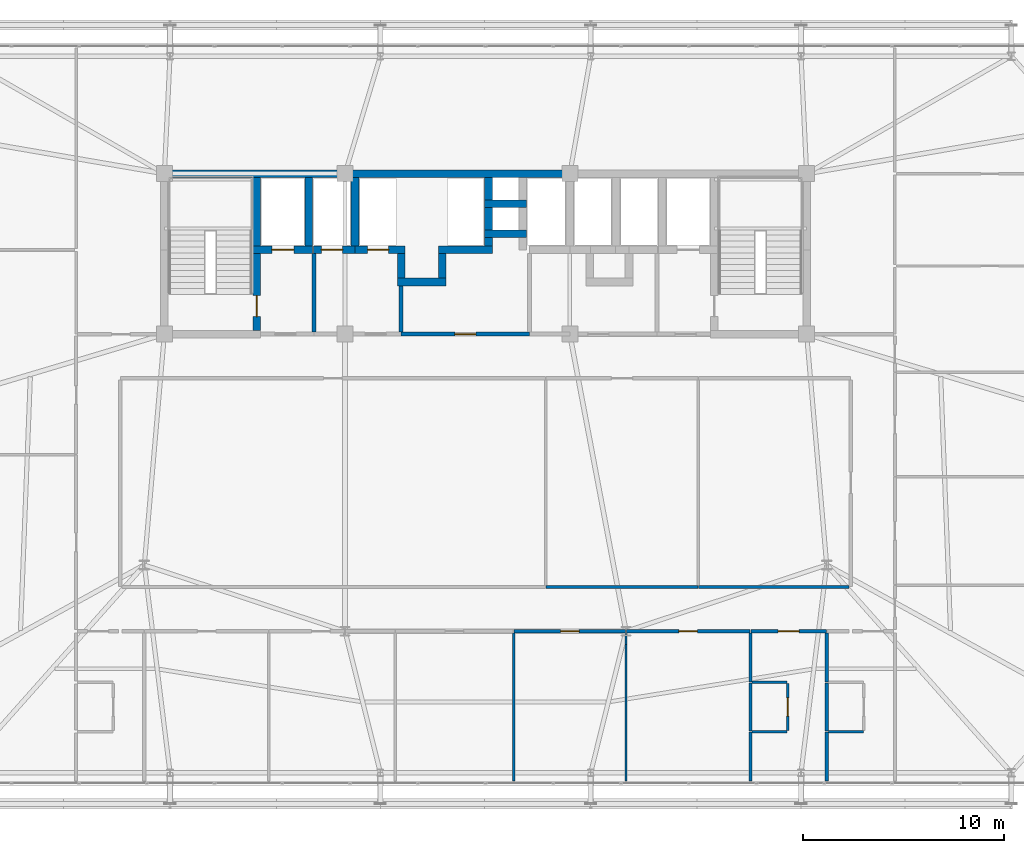
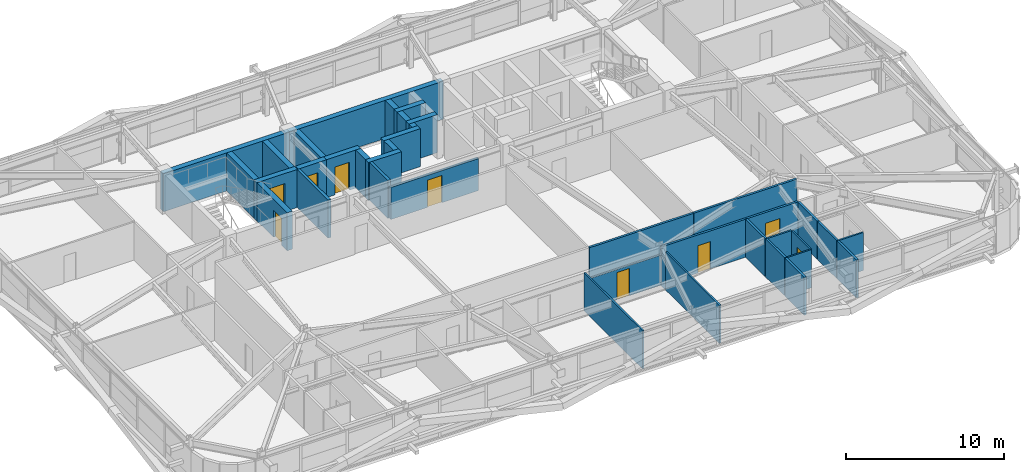
# One storey, part 53 of 58: 39 walls, 9 doors, 9 openings.
"""IFC4 building model written with IfcOpenShell, lengths in metres."""

from ifc_helpers import new_model, si_unit, direction, frame, frame_2d, origin, place, context, subcontext, project, spatial, rectangle, extrude, source, transform, mapped, material, layer, layer_set, type_object, element, fill, save


model = new_model("IFC4")

# Units and contexts
model_context = context("Model", 3, precision=1e-05, world=origin(), true_north=direction((0.0, 1.0)))
body_context = subcontext(model_context, "Body", "Model", "MODEL_VIEW")
ifc_project = project(units=[si_unit("LENGTHUNIT", "METRE"), si_unit("AREAUNIT", "SQUARE_METRE"), si_unit("VOLUMEUNIT", "CUBIC_METRE"), si_unit("PLANEANGLEUNIT", "RADIAN"), si_unit("MASSUNIT", "GRAM", prefix="KILO")], contexts=[model_context])

# Site, building, storey
site_placement = place(None, origin())
site = spatial("IfcSite", under=ifc_project, at=site_placement, CompositionType="ELEMENT")
building_placement = place(site_placement, origin())
building = spatial("IfcBuilding", under=site, at=building_placement, Name="Taldren Reach Tower", CompositionType="ELEMENT")
storey_placement = place(building_placement, frame((0.0, 0.0, 54.60009765625)))
storey = spatial("IfcBuildingStorey", under=building, at=storey_placement, Name="L16", CompositionType="ELEMENT", Elevation=54.60009765625)

# Walls
ifc_material_1 = material(Name="Concrete S80 (80 MPa)", Category="concrete")
ifc_layer_1 = layer(ifc_material_1, 0.3798828125)
ifc_layer_set_1 = layer_set([ifc_layer_1], Name="Concrete S80 (80 MPa)")
wall_type_1 = type_object("IfcWallType", Name="IW-CORE-380", PredefinedType="SHEAR", material=ifc_layer_set_1)
shared_shape_1 = source(origin(), body_context, "Body", "SweptSolid", [
    extrude(rectangle(XDim=9.18994140625, YDim=0.3798828125, at=frame_2d((4.594970703125, 0.0))), origin(), (0.0, 0.0, 1.0), 2.929931640625),
])
wall_1_placement = place(storey_placement, frame((18.81005859375, 32.0, 0.0), z_axis=(0.0, 0.0, 1.0), x_axis=(1.0, 0.0, 0.0)))
element("IfcWall", 1, at=wall_1_placement, inside=storey, type_object=wall_type_1, Name="Rear Core Shear Wall W-CORE-L16-NORTH1", PredefinedType="SHEAR", context=body_context, shape_type="MappedRepresentation", body=[
    mapped(shared_shape_1, transform((0.0, 0.0, 0.0), scale=1.0)),
])
shared_shape_2 = source(origin(), body_context, "Body", "SweptSolid", [
    extrude(rectangle(XDim=11.199951171875, YDim=0.3798828125, at=frame_2d((5.60009765625, 0.0))), origin(), (0.0, 0.0, 1.0), 2.929931640625),
])
wall_2_placement = place(storey_placement, frame((28.0, 32.0, 0.0), z_axis=(0.0, 0.0, 1.0), x_axis=(1.0, 0.0, 0.0)))
element("IfcWall", 2, at=wall_2_placement, inside=storey, type_object=wall_type_1, Name="Rear Core Shear Wall W-CORE-L16-NORTH2", PredefinedType="SHEAR", context=body_context, shape_type="MappedRepresentation", body=[
    mapped(shared_shape_2, transform((0.0, 0.0, 0.0), scale=1.0)),
])
shared_shape_3 = source(origin(), body_context, "Body", "SweptSolid", [
    extrude(rectangle(XDim=3.420166015625, YDim=0.3798828125, at=frame_2d((1.7099609375, 0.0))), origin(), (0.0, 0.0, 1.0), 2.929931640625),
])
for number, where, z_axis, x_axis, name in (
    (3, (23.60009765625, 28.389892578125, 0.0), (0.0, 0.0, 1.0), (0.0, 1.0, 0.0), "Rear Core Shear Wall W-INT-L16-001"),
    (4, (26.199951171875, 28.389892578125, 0.0), (0.0, 0.0, 1.0), (0.0, 1.0, 0.0), "Rear Core Shear Wall W-INT-L16-005"),
    (5, (28.5, 28.389892578125, 0.0), (0.0, 0.0, 1.0), (0.0, 1.0, 0.0), "Rear Core Shear Wall W-INT-L16-029"),
):
    element("IfcWall", number, at=place(storey_placement, frame(where, z_axis=z_axis, x_axis=x_axis)), inside=storey, type_object=wall_type_1, Name=name, PredefinedType="SHEAR", context=body_context, shape_type="MappedRepresentation", body=[
        mapped(shared_shape_3, transform((0.0, 0.0, 0.0), scale=1.0)),
    ])

# Wall, opening, door
shared_shape_4 = source(origin(), body_context, "Body", "SweptSolid", [
    extrude(rectangle(XDim=3.820068359375, YDim=0.3798828125, at=frame_2d((1.91015625, 0.0))), origin(), (0.0, 0.0, 1.0), 2.929931640625),
])
wall_3_placement = place(storey_placement, frame((23.60009765625, 24.18994140625, 0.0), z_axis=(0.0, 0.0, 1.0), x_axis=(0.0, 1.0, 0.0)))
wall_3 = element("IfcWall", 6, at=wall_3_placement, inside=storey, type_object=wall_type_1, Name="Rear Core Shear Wall W-INT-L16-002", PredefinedType="SHEAR", context=body_context, shape_type="MappedRepresentation", body=[
    mapped(shared_shape_4, transform((0.0, 0.0, 0.0), scale=1.0)),
])
shared_shape_5 = source(origin(), body_context, "Body", "SweptSolid", [
    extrude(rectangle(XDim=1.050048828125, YDim=2.10009765625, at=frame_2d((0.52490234375, 1.050048828125))), frame((0.0, 0.199951171875, 0.0), z_axis=(0.0, -1.0, 0.0), x_axis=(1.0, 0.0, 0.0)), (0.0, 0.0, 1.0), 0.39990234375),
])
opening_1_placement = place(wall_3_placement, frame((0.68505859375, 0.0, 0.0)))
opening_1 = element("IfcOpeningElement", 7, at=opening_1_placement, cuts=wall_3, Name="Opening DF-105", PredefinedType="OPENING", context=body_context, shape_type="MappedRepresentation", body=[
    mapped(shared_shape_5, transform((0.0, 0.0, 0.0), scale=1.0)),
])
ifc_material_2 = material(Name="Fire-Rated Care and Stair Exit Door")
door_type_1 = type_object("IfcDoorType", Name="ID-FIRE-105", OperationType="NOTDEFINED", PredefinedType="DOOR", material=ifc_material_2)
shared_shape_6 = source(origin(), body_context, "Body", "SweptSolid", [
    extrude(rectangle(XDim=1.050048828125, YDim=2.10009765625, at=frame_2d((0.52490234375, 1.050048828125))), frame((0.0, 0.02490234375, 0.0), z_axis=(0.0, -1.0, 0.0), x_axis=(1.0, 0.0, 0.0)), (0.0, 0.0, 1.0), 0.050048828125),
])
door_1_placement = place(opening_1_placement, origin())
door_1 = element("IfcDoor", 8, at=door_1_placement, inside=storey, type_object=door_type_1, Name="Fire Exit Stair Door DR-L16-001", OperationType="SINGLE_SWING_LEFT", OverallHeight=2.10009765625, OverallWidth=1.050048828125, PredefinedType="DOOR", context=body_context, shape_type="MappedRepresentation", body=[
    mapped(shared_shape_6, transform((0.0, 0.0, 0.0), scale=1.0)),
])
fill(opening_1, door_1)

shared_shape_7 = source(origin(), body_context, "Body", "SweptSolid", [
    extrude(rectangle(XDim=2.97998046875, YDim=0.3798828125, at=frame_2d((1.489990234375, 0.0))), origin(), (0.0, 0.0, 1.0), 2.929931640625),
])
wall_4_placement = place(storey_placement, frame((23.409912109375, 28.199951171875, 0.0), z_axis=(0.0, 0.0, 1.0), x_axis=(1.0, 0.0, 0.0)))
wall_4 = element("IfcWall", 9, at=wall_4_placement, inside=storey, type_object=wall_type_1, Name="Rear Core Shear Wall W-INT-L16-004", PredefinedType="SHEAR", context=body_context, shape_type="MappedRepresentation", body=[
    mapped(shared_shape_7, transform((0.0, 0.0, 0.0), scale=1.0)),
])
shared_shape_8 = source(origin(), body_context, "Body", "SweptSolid", [
    extrude(rectangle(XDim=1.10009765625, YDim=2.14990234375, at=frame_2d((0.550048828125, 1.074951171875))), frame((0.0, 0.199951171875, 0.0), z_axis=(0.0, -1.0, 0.0), x_axis=(1.0, 0.0, 0.0)), (0.0, 0.0, 1.0), 0.39990234375),
])
opening_2_placement = place(wall_4_placement, frame((0.93994140625, 0.0, 0.0)))
opening_2 = element("IfcOpeningElement", 10, at=opening_2_placement, cuts=wall_4, Name="Opening LD-FL1", PredefinedType="OPENING", context=body_context, shape_type="MappedRepresentation", body=[
    mapped(shared_shape_8, transform((0.0, 0.0, 0.0), scale=1.0)),
])
ifc_material_3 = material(Name="Stainless Steel Gr 316 Emergency Lift Landing Door", Category="steel")
door_type_2 = type_object("IfcDoorType", Name="LD-EMG-110", OperationType="SLIDING_TO_LEFT", PredefinedType="DOOR", material=ifc_material_3)
shared_shape_9 = source(origin(), body_context, "Body", "SweptSolid", [
    extrude(rectangle(XDim=1.10009765625, YDim=2.14990234375, at=frame_2d((0.550048828125, 1.074951171875))), frame((0.0, 0.02490234375, 0.0), z_axis=(0.0, -1.0, 0.0), x_axis=(1.0, 0.0, 0.0)), (0.0, 0.0, 1.0), 0.050048828125),
])
door_2_placement = place(opening_2_placement, origin())
door_2 = element("IfcDoor", 11, at=door_2_placement, inside=storey, type_object=door_type_2, Name="Lift Landing Door LD-FL1-L16", OperationType="SLIDING_TO_LEFT", OverallHeight=2.14990234375, OverallWidth=1.10009765625, PredefinedType="DOOR", context=body_context, shape_type="MappedRepresentation", body=[
    mapped(shared_shape_9, transform((0.0, 0.0, 0.0), scale=1.0)),
])
fill(opening_2, door_2)

# Walls
ifc_material_4 = material(Name="Concrete S50 (50 MPa)", Category="concrete")
ifc_layer_2 = layer(ifc_material_4, 0.199951171875)
ifc_layer_set_2 = layer_set([ifc_layer_2], Name="Concrete S50 (50 MPa)")
wall_type_2 = type_object("IfcWallType", Name="IW-CORE-200", PredefinedType="SOLIDWALL", material=ifc_layer_set_2)
shared_shape_10 = source(origin(), body_context, "Body", "SweptSolid", [
    extrude(rectangle(XDim=3.909912109375, YDim=0.199951171875, at=frame_2d((1.955078125, 0.0))), origin(), (0.0, 0.0, 1.0), 2.929931640625),
])
wall_5_placement = place(storey_placement, frame((26.449951171875, 24.10009765625, 0.0), z_axis=(0.0, 0.0, 1.0), x_axis=(0.0, 1.0, 0.0)))
element("IfcWall", 12, at=wall_5_placement, inside=storey, type_object=wall_type_2, Name="Rear Core Shear Wall W-INT-L16-006", PredefinedType="SOLIDWALL", context=body_context, shape_type="MappedRepresentation", body=[
    mapped(shared_shape_10, transform((0.0, 0.0, 0.0), scale=1.0)),
])
shared_shape_11 = source(origin(), body_context, "Body", "SweptSolid", [
    extrude(rectangle(XDim=2.080078125, YDim=0.3798828125, at=frame_2d((1.0400390625, 0.0))), origin(), (0.0, 0.0, 1.0), 2.929931640625),
])
for number, where, z_axis, x_axis, name in (
    (13, (34.9599609375, 30.5, 0.0), (0.0, 0.0, 1.0), (1.0, 0.0, 0.0), "Rear Core Shear Wall W-INT-L16-015"),
    (14, (34.9599609375, 29.0, 0.0), (0.0, 0.0, 1.0), (1.0, 0.0, 0.0), "Rear Core Shear Wall W-INT-L16-020"),
):
    element("IfcWall", number, at=place(storey_placement, frame(where, z_axis=z_axis, x_axis=x_axis)), inside=storey, type_object=wall_type_1, Name=name, PredefinedType="SHEAR", context=body_context, shape_type="MappedRepresentation", body=[
        mapped(shared_shape_11, transform((0.0, 0.0, 0.0), scale=1.0)),
    ])
shared_shape_12 = source(origin(), body_context, "Body", "SweptSolid", [
    extrude(rectangle(XDim=1.1201171875, YDim=0.3798828125, at=frame_2d((0.56005859375, 0.0))), origin(), (0.0, 0.0, 1.0), 2.929931640625),
])
for number, where, z_axis, x_axis, name in (
    (15, (35.14990234375, 31.81005859375, 0.0), (0.0, 0.0, 1.0), (0.0, -1.0, 0.0), "Rear Core Shear Wall W-INT-L16-016"),
    (16, (35.14990234375, 30.31005859375, 0.0), (0.0, 0.0, 1.0), (0.0, -1.0, 0.0), "Rear Core Shear Wall W-INT-L16-018"),
):
    element("IfcWall", number, at=place(storey_placement, frame(where, z_axis=z_axis, x_axis=x_axis)), inside=storey, type_object=wall_type_1, Name=name, PredefinedType="SHEAR", context=body_context, shape_type="MappedRepresentation", body=[
        mapped(shared_shape_12, transform((0.0, 0.0, 0.0), scale=1.0)),
    ])
shared_shape_13 = source(origin(), body_context, "Body", "SweptSolid", [
    extrude(rectangle(XDim=1.219970703125, YDim=0.3798828125, at=frame_2d((0.60986328125, 0.0))), origin(), (0.0, 0.0, 1.0), 2.929931640625),
])
for number, where, z_axis, x_axis, name in (
    (17, (30.800048828125, 28.010009765625, 0.0), (0.0, 0.0, 1.0), (0.0, -1.0, 0.0), "Rear Core Shear Wall W-INT-L16-021"),
    (18, (32.85009765625, 26.7900390625, 0.0), (0.0, 0.0, 1.0), (0.0, 1.0, 0.0), "Rear Core Shear Wall W-INT-L16-023"),
):
    element("IfcWall", number, at=place(storey_placement, frame(where, z_axis=z_axis, x_axis=x_axis)), inside=storey, type_object=wall_type_1, Name=name, PredefinedType="SHEAR", context=body_context, shape_type="MappedRepresentation", body=[
        mapped(shared_shape_13, transform((0.0, 0.0, 0.0), scale=1.0)),
    ])
shared_shape_14 = source(origin(), body_context, "Body", "SweptSolid", [
    extrude(rectangle(XDim=2.429931640625, YDim=0.3798828125, at=frame_2d((1.21484375, 0.0))), origin(), (0.0, 0.0, 1.0), 2.929931640625),
])
wall_6_placement = place(storey_placement, frame((30.610107421875, 26.60009765625, 0.0), z_axis=(0.0, 0.0, 1.0), x_axis=(1.0, 0.0, 0.0)))
element("IfcWall", 19, at=wall_6_placement, inside=storey, type_object=wall_type_1, Name="Rear Core Shear Wall W-INT-L16-022", PredefinedType="SHEAR", context=body_context, shape_type="MappedRepresentation", body=[
    mapped(shared_shape_14, transform((0.0, 0.0, 0.0), scale=1.0)),
])

# Wall, opening, door
shared_shape_15 = source(origin(), body_context, "Body", "SweptSolid", [
    extrude(rectangle(XDim=2.070068359375, YDim=0.3798828125, at=frame_2d((1.03515625, 0.0))), origin(), (0.0, 0.0, 1.0), 2.929931640625),
])
wall_7_placement = place(storey_placement, frame((26.429931640625, 28.199951171875, 0.0), z_axis=(0.0, 0.0, 1.0), x_axis=(1.0, 0.0, 0.0)))
wall_7 = element("IfcWall", 20, at=wall_7_placement, inside=storey, type_object=wall_type_1, Name="Rear Core Shear Wall W-INT-L16-030", PredefinedType="SHEAR", context=body_context, shape_type="MappedRepresentation", body=[
    mapped(shared_shape_15, transform((0.0, 0.0, 0.0), scale=1.0)),
])
shared_shape_16 = source(origin(), body_context, "Body", "SweptSolid", [
    extrude(rectangle(XDim=1.050048828125, YDim=2.14990234375, at=frame_2d((0.52490234375, 1.074951171875))), frame((0.0, 0.199951171875, 0.0), z_axis=(0.0, -1.0, 0.0), x_axis=(1.0, 0.0, 0.0)), (0.0, 0.0, 1.0), 0.39990234375),
])
opening_3_placement = place(wall_7_placement, frame((0.39501953125, 0.0, 0.0)))
opening_3 = element("IfcOpeningElement", 21, at=opening_3_placement, cuts=wall_7, Name="Opening LD-PL1", PredefinedType="OPENING", context=body_context, shape_type="MappedRepresentation", body=[
    mapped(shared_shape_16, transform((0.0, 0.0, 0.0), scale=1.0)),
])
ifc_material_5 = material(Name="Stainless Steel Gr 316 Passenger Lift Landing Door", Category="steel")
door_type_3 = type_object("IfcDoorType", Name="LD-PAS-105", OperationType="SLIDING_TO_LEFT", PredefinedType="DOOR", material=ifc_material_5)
shared_shape_17 = source(origin(), body_context, "Body", "SweptSolid", [
    extrude(rectangle(XDim=1.050048828125, YDim=2.14990234375, at=frame_2d((0.52490234375, 1.074951171875))), frame((0.0, 0.02490234375, 0.0), z_axis=(0.0, -1.0, 0.0), x_axis=(1.0, 0.0, 0.0)), (0.0, 0.0, 1.0), 0.050048828125),
])
door_3_placement = place(opening_3_placement, origin())
door_3 = element("IfcDoor", 22, at=door_3_placement, inside=storey, type_object=door_type_3, Name="Lift Landing Door LD-PL1-L16", OperationType="SLIDING_TO_LEFT", OverallHeight=2.14990234375, OverallWidth=1.050048828125, PredefinedType="DOOR", context=body_context, shape_type="MappedRepresentation", body=[
    mapped(shared_shape_17, transform((0.0, 0.0, 0.0), scale=1.0)),
])
fill(opening_3, door_3)

shared_shape_18 = source(origin(), body_context, "Body", "SweptSolid", [
    extrude(rectangle(XDim=2.489990234375, YDim=0.3798828125, at=frame_2d((1.2451171875, 0.0))), origin(), (0.0, 0.0, 1.0), 2.929931640625),
])
wall_8_placement = place(storey_placement, frame((28.5, 28.199951171875, 0.0), z_axis=(0.0, 0.0, 1.0), x_axis=(1.0, 0.0, 0.0)))
wall_8 = element("IfcWall", 23, at=wall_8_placement, inside=storey, type_object=wall_type_1, Name="Rear Core Shear Wall W-INT-L16-031", PredefinedType="SHEAR", context=body_context, shape_type="MappedRepresentation", body=[
    mapped(shared_shape_18, transform((0.0, 0.0, 0.0), scale=1.0)),
])
opening_4_placement = place(wall_8_placement, frame((0.625, 0.0, 0.0)))
opening_4 = element("IfcOpeningElement", 24, at=opening_4_placement, cuts=wall_8, Name="Opening LD-PL2", PredefinedType="OPENING", context=body_context, shape_type="MappedRepresentation", body=[
    mapped(shared_shape_16, transform((0.0, 0.0, 0.0), scale=1.0)),
])
door_4_placement = place(opening_4_placement, origin())
door_4 = element("IfcDoor", 25, at=door_4_placement, inside=storey, type_object=door_type_3, Name="Lift Landing Door LD-PL2-L16", OperationType="SLIDING_TO_LEFT", OverallHeight=2.14990234375, OverallWidth=1.050048828125, PredefinedType="DOOR", context=body_context, shape_type="MappedRepresentation", body=[
    mapped(shared_shape_17, transform((0.0, 0.0, 0.0), scale=1.0)),
])
fill(opening_4, door_4)

# Walls
shared_shape_19 = source(origin(), body_context, "Body", "SweptSolid", [
    extrude(rectangle(XDim=2.309814453125, YDim=0.199951171875, at=frame_2d((1.15478515625, 0.0))), origin(), (0.0, 0.0, 1.0), 2.929931640625),
])
wall_9_placement = place(storey_placement, frame((30.800048828125, 26.409912109375, 0.0), z_axis=(0.0, 0.0, 1.0), x_axis=(0.0, -1.0, 0.0)))
element("IfcWall", 26, at=wall_9_placement, inside=storey, type_object=wall_type_2, Name="Rear Core Shear Wall W-INT-L16-032", PredefinedType="SOLIDWALL", context=body_context, shape_type="MappedRepresentation", body=[
    mapped(shared_shape_19, transform((0.0, 0.0, 0.0), scale=1.0)),
])
shared_shape_20 = source(origin(), body_context, "Body", "SweptSolid", [
    extrude(rectangle(XDim=2.68017578125, YDim=0.3798828125, at=frame_2d((1.340087890625, 0.0))), origin(), (0.0, 0.0, 1.0), 2.929931640625),
])
wall_10_placement = place(storey_placement, frame((32.659912109375, 28.199951171875, 0.0), z_axis=(0.0, 0.0, 1.0), x_axis=(1.0, 0.0, 0.0)))
element("IfcWall", 27, at=wall_10_placement, inside=storey, type_object=wall_type_1, Name="Rear Core Shear Wall W-INT-L16-034", PredefinedType="SHEAR", context=body_context, shape_type="MappedRepresentation", body=[
    mapped(shared_shape_20, transform((0.0, 0.0, 0.0), scale=1.0)),
])
shared_shape_21 = source(origin(), body_context, "Body", "SweptSolid", [
    extrude(rectangle(XDim=0.420166015625, YDim=0.3798828125, at=frame_2d((0.2099609375, 0.0))), origin(), (0.0, 0.0, 1.0), 2.929931640625),
])
wall_11_placement = place(storey_placement, frame((35.14990234375, 28.389892578125, 0.0), z_axis=(0.0, 0.0, 1.0), x_axis=(0.0, 1.0, 0.0)))
element("IfcWall", 28, at=wall_11_placement, inside=storey, type_object=wall_type_1, Name="Rear Core Shear Wall W-INT-L16-035", PredefinedType="SHEAR", context=body_context, shape_type="MappedRepresentation", body=[
    mapped(shared_shape_21, transform((0.0, 0.0, 0.0), scale=1.0)),
])

# Wall, opening, door
shared_shape_22 = source(origin(), body_context, "Body", "SweptSolid", [
    extrude(rectangle(XDim=6.39990234375, YDim=0.199951171875, at=frame_2d((3.199951171875, 0.0))), origin(), (0.0, 0.0, 1.0), 2.469970703125),
])
wall_12_placement = place(storey_placement, frame((37.199951171875, 24.0, 0.0), z_axis=(0.0, 0.0, 1.0), x_axis=(-1.0, 0.0, 0.0)))
wall_12 = element("IfcWall", 29, at=wall_12_placement, inside=storey, type_object=wall_type_2, Name="Rear Core Shear Wall W-INT-L16-043", PredefinedType="SOLIDWALL", context=body_context, shape_type="MappedRepresentation", body=[
    mapped(shared_shape_22, transform((0.0, 0.0, 0.0), scale=1.0)),
])
shared_shape_23 = source(origin(), body_context, "Body", "SweptSolid", [
    extrude(rectangle(XDim=1.050048828125, YDim=2.10009765625, at=frame_2d((0.52490234375, 1.050048828125))), frame((0.0, 0.10986328125, 0.0), z_axis=(0.0, -1.0, 0.0), x_axis=(1.0, 0.0, 0.0)), (0.0, 0.0, 1.0), 0.219970703125),
])
opening_5_placement = place(wall_12_placement, frame((2.675048828125, 0.0, 0.0)))
opening_5 = element("IfcOpeningElement", 30, at=opening_5_placement, cuts=wall_12, Name="Opening DF-105", PredefinedType="OPENING", context=body_context, shape_type="MappedRepresentation", body=[
    mapped(shared_shape_23, transform((0.0, 0.0, 0.0), scale=1.0)),
])
door_5_placement = place(opening_5_placement, frame((1.050048828125, 0.0, 0.0), z_axis=(0.0, 0.0, 1.0), x_axis=(-1.0, 0.0, 0.0)))
door_5 = element("IfcDoor", 31, at=door_5_placement, inside=storey, type_object=door_type_1, Name="Interior Door DR-L16-006", OperationType="SINGLE_SWING_RIGHT", OverallHeight=2.10009765625, OverallWidth=1.050048828125, PredefinedType="DOOR", context=body_context, shape_type="MappedRepresentation", body=[
    mapped(shared_shape_6, transform((0.0, 0.0, 0.0), scale=1.0)),
])
fill(opening_5, door_5)

# Wall
ifc_material_6 = material(Name="Insulated Residential Stud Partition", Category="gypsum")
ifc_layer_3 = layer(ifc_material_6, 0.1201171875)
ifc_layer_set_3 = layer_set([ifc_layer_3], Name="Insulated Residential Stud Partition")
wall_type_3 = type_object("IfcWallType", Name="IW-PART-120", PredefinedType="PARTITIONING", material=ifc_layer_set_3)
shared_shape_24 = source(origin(), body_context, "Body", "SweptSolid", [
    extrude(rectangle(XDim=7.39013671875, YDim=0.1201171875, at=frame_2d((3.695068359375, 0.0))), origin(), (0.0, 0.0, 1.0), 2.929931640625),
])
wall_13_placement = place(storey_placement, frame((36.39990234375, 9.1201171875, 0.0), z_axis=(0.0, 0.0, 1.0), x_axis=(0.0, -1.0, 0.0)))
element("IfcWall", 32, at=wall_13_placement, inside=storey, type_object=wall_type_3, Name="Interior Partition Wall W-INT-L16-082", PredefinedType="PARTITIONING", context=body_context, shape_type="MappedRepresentation", body=[
    mapped(shared_shape_24, transform((0.0, 0.0, 0.0), scale=1.0)),
])

# Wall, opening, door
shared_shape_25 = source(origin(), body_context, "Body", "SweptSolid", [
    extrude(rectangle(XDim=2.330078125, YDim=0.1201171875, at=frame_2d((1.1650390625, 0.0))), origin(), (0.0, 0.0, 1.0), 2.929931640625),
])
wall_14_placement = place(storey_placement, frame((50.050048828125, 4.260009765625, 0.0), z_axis=(0.0, 0.0, 1.0), x_axis=(0.0, 1.0, 0.0)))
wall_14 = element("IfcWall", 33, at=wall_14_placement, inside=storey, type_object=wall_type_3, Name="Interior Partition Wall W-INT-L16-087", PredefinedType="PARTITIONING", context=body_context, shape_type="MappedRepresentation", body=[
    mapped(shared_shape_25, transform((0.0, 0.0, 0.0), scale=1.0)),
])
shared_shape_26 = source(origin(), body_context, "Body", "SweptSolid", [
    extrude(rectangle(XDim=0.919921875, YDim=2.10009765625, at=frame_2d((0.4599609375, 1.050048828125))), frame((0.0, 0.070068359375, 0.0), z_axis=(0.0, -1.0, 0.0), x_axis=(1.0, 0.0, 0.0)), (0.0, 0.0, 1.0), 0.14013671875),
])
opening_6_placement = place(wall_14_placement, frame((0.705078125, 0.0, 0.0)))
opening_6 = element("IfcOpeningElement", 34, at=opening_6_placement, cuts=wall_14, Name="Opening DI-092", PredefinedType="OPENING", context=body_context, shape_type="MappedRepresentation", body=[
    mapped(shared_shape_26, transform((0.0, 0.0, 0.0), scale=1.0)),
])
ifc_material_7 = material(Name="Solid-Core Timber Suite Door", Category="wood")
door_type_4 = type_object("IfcDoorType", Name="ID-INT-092", OperationType="NOTDEFINED", PredefinedType="DOOR", material=ifc_material_7)
shared_shape_27 = source(origin(), body_context, "Body", "SweptSolid", [
    extrude(rectangle(XDim=0.919921875, YDim=2.10009765625, at=frame_2d((0.4599609375, 1.050048828125))), frame((0.0, 0.02490234375, 0.0), z_axis=(0.0, -1.0, 0.0), x_axis=(1.0, 0.0, 0.0)), (0.0, 0.0, 1.0), 0.050048828125),
])
door_6_placement = place(opening_6_placement, origin())
door_6 = element("IfcDoor", 35, at=door_6_placement, inside=storey, type_object=door_type_4, Name="Interior Door DR-L16-027", OperationType="SINGLE_SWING_RIGHT", OverallHeight=2.10009765625, OverallWidth=0.919921875, PredefinedType="DOOR", context=body_context, shape_type="MappedRepresentation", body=[
    mapped(shared_shape_27, transform((0.0, 0.0, 0.0), scale=1.0)),
])
fill(opening_6, door_6)

# Walls
shared_shape_28 = source(origin(), body_context, "Body", "SweptSolid", [
    extrude(rectangle(XDim=1.749755859375, YDim=0.1201171875, at=frame_2d((0.875, 0.0))), origin(), (0.0, 0.0, 1.0), 2.929931640625),
])
for number, where, z_axis, x_axis, name in (
    (36, (48.280029296875, 4.199951171875, 0.0), (0.0, 0.0, 1.0), (1.0, 0.0, 0.0), "Interior Partition Wall W-INT-L16-088"),
    (37, (50.02978515625, 6.64990234375, 0.0), (0.0, 0.0, 1.0), (-1.0, 0.0, 0.0), "Interior Partition Wall W-INT-L16-089"),
    (38, (52.080078125, 4.199951171875, 0.0), (0.0, 0.0, 1.0), (1.0, 0.0, 0.0), "Interior Partition Wall W-INT-L16-094"),
):
    element("IfcWall", number, at=place(storey_placement, frame(where, z_axis=z_axis, x_axis=x_axis)), inside=storey, type_object=wall_type_3, Name=name, PredefinedType="PARTITIONING", context=body_context, shape_type="MappedRepresentation", body=[
        mapped(shared_shape_28, transform((0.0, 0.0, 0.0), scale=1.0)),
    ])
ifc_material_8 = material(Name="Fire-Rated Acoustic Plasterboard Stud Wall", Category="gypsum")
ifc_layer_4 = layer(ifc_material_8, 0.159912109375)
ifc_layer_set_4 = layer_set([ifc_layer_4], Name="Fire-Rated Acoustic Plasterboard Stud Wall")
wall_type_4 = type_object("IfcWallType", Name="IW-FIRE-160", PredefinedType="PARTITIONING", material=ifc_layer_set_4)
shared_shape_29 = source(origin(), body_context, "Body", "SweptSolid", [
    extrude(rectangle(XDim=2.44775390625, YDim=0.159912109375, at=frame_2d((1.223876953125, 0.0))), origin(), (0.0, 0.0, 1.0), 2.929931640625),
])
for number, where, z_axis, x_axis, name in (
    (39, (52.0, 4.1796875, 0.0), (0.0, 0.0, 1.0), (0.0, -1.0, 0.0), "Interior Partition Wall W-INT-L16-090"),
    (40, (52.0, 9.117919921875, 0.0), (0.0, 0.0, 1.0), (0.0, -1.0, 0.0), "Interior Partition Wall W-INT-L16-091"),
):
    element("IfcWall", number, at=place(storey_placement, frame(where, z_axis=z_axis, x_axis=x_axis)), inside=storey, type_object=wall_type_4, Name=name, PredefinedType="PARTITIONING", context=body_context, shape_type="MappedRepresentation", body=[
        mapped(shared_shape_29, transform((0.0, 0.0, 0.0), scale=1.0)),
    ])
shared_shape_30 = source(origin(), body_context, "Body", "SweptSolid", [
    extrude(rectangle(XDim=2.40966796875, YDim=0.159912109375, at=frame_2d((1.204833984375, 0.0))), origin(), (0.0, 0.0, 1.0), 2.929931640625),
])
for number, where, z_axis, x_axis, name in (
    (41, (48.199951171875, 6.6298828125, 0.0), (0.0, 0.0, 1.0), (0.0, -1.0, 0.0), "Interior Partition Wall W-INT-L16-086"),
    (42, (52.0, 6.6298828125, 0.0), (0.0, 0.0, 1.0), (0.0, -1.0, 0.0), "Interior Partition Wall W-INT-L16-092"),
):
    element("IfcWall", number, at=place(storey_placement, frame(where, z_axis=z_axis, x_axis=x_axis)), inside=storey, type_object=wall_type_4, Name=name, PredefinedType="PARTITIONING", context=body_context, shape_type="MappedRepresentation", body=[
        mapped(shared_shape_30, transform((0.0, 0.0, 0.0), scale=1.0)),
    ])
shared_shape_31 = source(origin(), body_context, "Body", "SweptSolid", [
    extrude(rectangle(XDim=2.44970703125, YDim=0.159912109375, at=frame_2d((1.224853515625, 0.0))), origin(), (0.0, 0.0, 1.0), 2.929931640625),
])
wall_15_placement = place(storey_placement, frame((48.199951171875, 4.1796875, 0.0), z_axis=(0.0, 0.0, 1.0), x_axis=(0.0, -1.0, 0.0)))
element("IfcWall", 43, at=wall_15_placement, inside=storey, type_object=wall_type_4, Name="Interior Partition Wall W-INT-L16-084", PredefinedType="PARTITIONING", context=body_context, shape_type="MappedRepresentation", body=[
    mapped(shared_shape_31, transform((0.0, 0.0, 0.0), scale=1.0)),
])
shared_shape_32 = source(origin(), body_context, "Body", "SweptSolid", [
    extrude(rectangle(XDim=2.449951171875, YDim=0.159912109375, at=frame_2d((1.22509765625, 0.0))), origin(), (0.0, 0.0, 1.0), 2.929931640625),
])
wall_16_placement = place(storey_placement, frame((48.199951171875, 9.1201171875, 0.0), z_axis=(0.0, 0.0, 1.0), x_axis=(0.0, -1.0, 0.0)))
element("IfcWall", 44, at=wall_16_placement, inside=storey, type_object=wall_type_4, Name="Interior Partition Wall W-INT-L16-085", PredefinedType="PARTITIONING", context=body_context, shape_type="MappedRepresentation", body=[
    mapped(shared_shape_32, transform((0.0, 0.0, 0.0), scale=1.0)),
])
shared_shape_33 = source(origin(), body_context, "Body", "SweptSolid", [
    extrude(rectangle(XDim=0.591796875, YDim=0.1201171875, at=frame_2d((0.2958984375, 0.0))), origin(), (0.0, 0.0, 1.0), 2.39697265625),
])
wall_17_placement = place(storey_placement, frame((42.0, 9.1201171875, 0.0), z_axis=(0.0, 0.0, 1.0), x_axis=(0.0, -1.0, 0.0)))
element("IfcWall", 45, at=wall_17_placement, inside=storey, type_object=wall_type_3, Name="Interior Partition Wall W-INT-L16-083", PredefinedType="PARTITIONING", context=body_context, shape_type="MappedRepresentation", body=[
    mapped(shared_shape_33, transform((0.0, 0.0, 0.0), scale=1.0)),
])
shared_shape_34 = source(origin(), body_context, "Body", "SweptSolid", [
    extrude(rectangle(XDim=6.79833984375, YDim=0.1201171875, at=frame_2d((3.399169921875, 0.0))), origin(), (0.0, 0.0, 1.0), 2.929931640625),
])
wall_18_placement = place(storey_placement, frame((42.0, 8.5283203125, 0.0), z_axis=(0.0, 0.0, 1.0), x_axis=(0.0, -1.0, 0.0)))
element("IfcWall", 46, at=wall_18_placement, inside=storey, type_object=wall_type_3, Name="Interior Partition Wall W-INT-L16-083 part 2", PredefinedType="PARTITIONING", context=body_context, shape_type="MappedRepresentation", body=[
    mapped(shared_shape_34, transform((0.0, 0.0, 0.0), scale=1.0)),
])
shared_shape_35 = source(origin(), body_context, "Body", "SweptSolid", [
    extrude(rectangle(XDim=7.5595703125, YDim=0.159912109375, at=frame_2d((3.77978515625, 0.0))), origin(), (0.0, 0.0, 1.0), 2.929931640625),
])
wall_19_placement = place(storey_placement, frame((38.020263671875, 11.39990234375, 0.0), z_axis=(0.0, 0.0, 1.0), x_axis=(1.0, 0.0, 0.0)))
element("IfcWall", 47, at=wall_19_placement, inside=storey, type_object=wall_type_4, Name="Interior Partition Wall W-INT-L16-061", PredefinedType="PARTITIONING", context=body_context, shape_type="MappedRepresentation", body=[
    mapped(shared_shape_35, transform((0.0, 0.0, 0.0), scale=1.0)),
])
shared_shape_36 = source(origin(), body_context, "Body", "SweptSolid", [
    extrude(rectangle(XDim=7.5, YDim=0.159912109375, at=frame_2d((3.75, 0.0))), origin(), (0.0, 0.0, 1.0), 2.929931640625),
])
wall_20_placement = place(storey_placement, frame((45.6201171875, 11.39990234375, 0.0), z_axis=(0.0, 0.0, 1.0), x_axis=(1.0, 0.0, 0.0)))
element("IfcWall", 48, at=wall_20_placement, inside=storey, type_object=wall_type_4, Name="Interior Partition Wall W-INT-L16-062", PredefinedType="PARTITIONING", context=body_context, shape_type="MappedRepresentation", body=[
    mapped(shared_shape_36, transform((0.0, 0.0, 0.0), scale=1.0)),
])

# Wall, opening, door
shared_shape_37 = source(origin(), body_context, "Body", "SweptSolid", [
    extrude(rectangle(XDim=6.159423828125, YDim=0.159912109375, at=frame_2d((3.07958984375, 0.0))), origin(), (0.0, 0.0, 1.0), 2.929931640625),
])
wall_21_placement = place(storey_placement, frame((48.1796875, 9.199951171875, 0.0), z_axis=(0.0, 0.0, 1.0), x_axis=(-1.0, 0.0, 0.0)))
wall_21 = element("IfcWall", 49, at=wall_21_placement, inside=storey, type_object=wall_type_4, Name="Interior Partition Wall W-INT-L16-068", PredefinedType="PARTITIONING", context=body_context, shape_type="MappedRepresentation", body=[
    mapped(shared_shape_37, transform((0.0, 0.0, 0.0), scale=1.0)),
])
shared_shape_38 = source(origin(), body_context, "Body", "SweptSolid", [
    extrude(rectangle(XDim=0.919921875, YDim=2.10009765625, at=frame_2d((0.4599609375, 1.050048828125))), frame((0.0, 0.08984375, 0.0), z_axis=(0.0, -1.0, 0.0), x_axis=(1.0, 0.0, 0.0)), (0.0, 0.0, 1.0), 0.179931640625),
])
opening_7_placement = place(wall_21_placement, frame((2.619873046875, 0.0, 0.0)))
opening_7 = element("IfcOpeningElement", 50, at=opening_7_placement, cuts=wall_21, Name="Opening DI-092", PredefinedType="OPENING", context=body_context, shape_type="MappedRepresentation", body=[
    mapped(shared_shape_38, transform((0.0, 0.0, 0.0), scale=1.0)),
])
door_7_placement = place(opening_7_placement, origin())
door_7 = element("IfcDoor", 51, at=door_7_placement, inside=storey, type_object=door_type_4, Name="Interior Door DR-L16-024", OperationType="SINGLE_SWING_LEFT", OverallHeight=2.10009765625, OverallWidth=0.919921875, PredefinedType="DOOR", context=body_context, shape_type="MappedRepresentation", body=[
    mapped(shared_shape_27, transform((0.0, 0.0, 0.0), scale=1.0)),
])
fill(opening_7, door_7)

shared_shape_39 = source(origin(), body_context, "Body", "SweptSolid", [
    extrude(rectangle(XDim=3.759521484375, YDim=0.159912109375, at=frame_2d((1.8798828125, 0.0))), origin(), (0.0, 0.0, 1.0), 2.929931640625),
])
wall_22_placement = place(storey_placement, frame((51.979736328125, 9.199951171875, 0.0), z_axis=(0.0, 0.0, 1.0), x_axis=(-1.0, 0.0, 0.0)))
wall_22 = element("IfcWall", 52, at=wall_22_placement, inside=storey, type_object=wall_type_4, Name="Interior Partition Wall W-INT-L16-069", PredefinedType="PARTITIONING", context=body_context, shape_type="MappedRepresentation", body=[
    mapped(shared_shape_39, transform((0.0, 0.0, 0.0), scale=1.0)),
])
shared_shape_40 = source(origin(), body_context, "Body", "SweptSolid", [
    extrude(rectangle(XDim=1.050048828125, YDim=2.10009765625, at=frame_2d((0.52490234375, 1.050048828125))), frame((0.0, 0.08984375, 0.0), z_axis=(0.0, -1.0, 0.0), x_axis=(1.0, 0.0, 0.0)), (0.0, 0.0, 1.0), 0.179931640625),
])
opening_8_placement = place(wall_22_placement, frame((1.354736328125, 0.0, 0.0)))
opening_8 = element("IfcOpeningElement", 53, at=opening_8_placement, cuts=wall_22, Name="Opening DF-105", PredefinedType="OPENING", context=body_context, shape_type="MappedRepresentation", body=[
    mapped(shared_shape_40, transform((0.0, 0.0, 0.0), scale=1.0)),
])
door_8_placement = place(opening_8_placement, origin())
door_8 = element("IfcDoor", 54, at=door_8_placement, inside=storey, type_object=door_type_1, Name="Interior Door DR-L16-025", OperationType="SINGLE_SWING_RIGHT", OverallHeight=2.10009765625, OverallWidth=1.050048828125, PredefinedType="DOOR", context=body_context, shape_type="MappedRepresentation", body=[
    mapped(shared_shape_6, transform((0.0, 0.0, 0.0), scale=1.0)),
])
fill(opening_8, door_8)

shared_shape_41 = source(origin(), body_context, "Body", "SweptSolid", [
    extrude(rectangle(XDim=5.5595703125, YDim=0.159912109375, at=frame_2d((2.77978515625, 0.0))), origin(), (0.0, 0.0, 1.0), 2.327880859375),
])
wall_23_placement = place(storey_placement, frame((41.979736328125, 9.199951171875, 0.0), z_axis=(0.0, 0.0, 1.0), x_axis=(-1.0, 0.0, 0.0)))
wall_23 = element("IfcWall", 55, at=wall_23_placement, inside=storey, type_object=wall_type_4, Name="Interior Partition Wall W-INT-L16-067", PredefinedType="PARTITIONING", context=body_context, shape_type="MappedRepresentation", body=[
    mapped(shared_shape_41, transform((0.0, 0.0, 0.0), scale=1.0)),
])
opening_9_placement = place(wall_23_placement, frame((2.31982421875, 0.0, 0.0)))
opening_9 = element("IfcOpeningElement", 56, at=opening_9_placement, cuts=wall_23, Name="Opening DI-092", PredefinedType="OPENING", context=body_context, shape_type="MappedRepresentation", body=[
    mapped(shared_shape_38, transform((0.0, 0.0, 0.0), scale=1.0)),
])
door_9_placement = place(opening_9_placement, origin())
door_9 = element("IfcDoor", 57, at=door_9_placement, inside=storey, type_object=door_type_4, Name="Interior Door DR-L16-023", OperationType="SINGLE_SWING_RIGHT", OverallHeight=2.10009765625, OverallWidth=0.919921875, PredefinedType="DOOR", context=body_context, shape_type="MappedRepresentation", body=[
    mapped(shared_shape_27, transform((0.0, 0.0, 0.0), scale=1.0)),
])
fill(opening_9, door_9)

save(model, "model.ifc")
